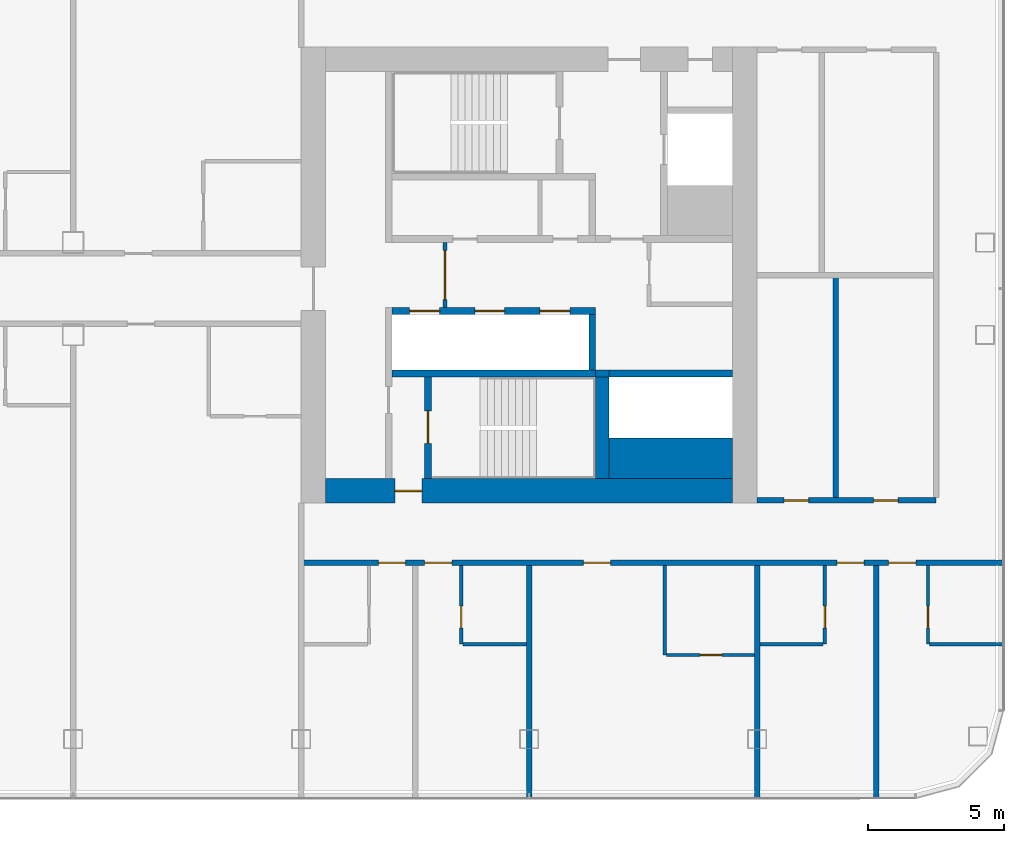
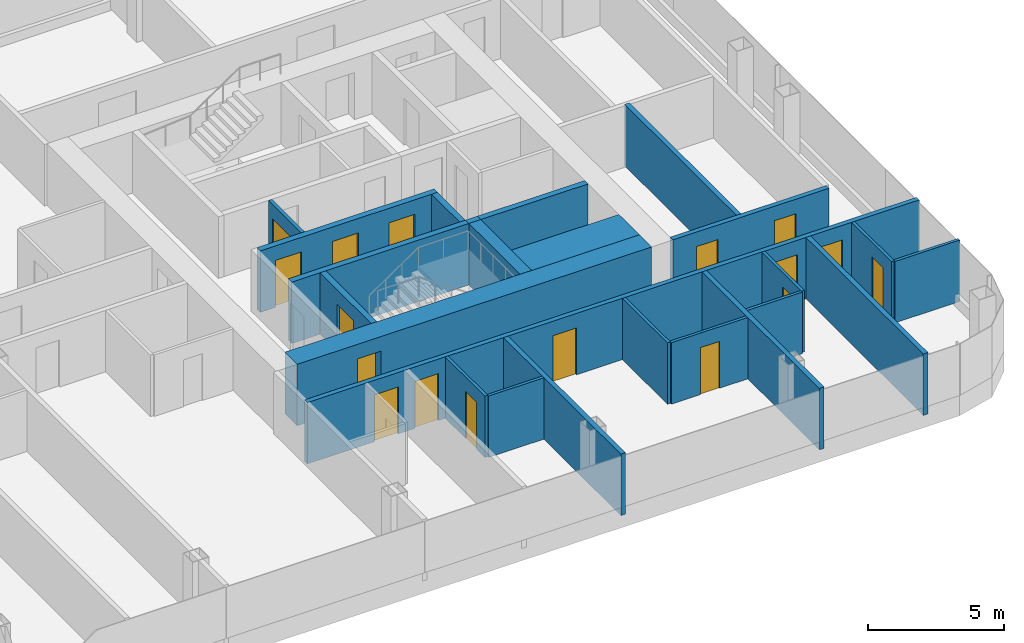
# One storey, part 16 of 26: 24 walls, 17 doors, 17 openings.
"""IFC4 building model written with IfcOpenShell, lengths in metres."""

from ifc_helpers import new_model, si_unit, direction, frame, frame_2d, origin, place, context, subcontext, project, spatial, rectangle, extrude, material, layer, layer_set, type_object, element, fill, save


model = new_model("IFC4")

# Units and contexts
model_context = context("Model", 3, precision=1e-05, world=origin(), true_north=direction((0.0, 1.0)))
body_context = subcontext(model_context, "Body", "Model", "MODEL_VIEW")
ifc_project = project(units=[si_unit("LENGTHUNIT", "METRE"), si_unit("AREAUNIT", "SQUARE_METRE"), si_unit("VOLUMEUNIT", "CUBIC_METRE"), si_unit("PLANEANGLEUNIT", "RADIAN"), si_unit("MASSUNIT", "GRAM", prefix="KILO")], contexts=[model_context])

# Site, building, storey
site_placement = place(None, origin())
site = spatial("IfcSite", under=ifc_project, at=site_placement, CompositionType="ELEMENT")
building_placement = place(site_placement, origin())
building = spatial("IfcBuilding", under=site, at=building_placement, Name="Hakoniwa Tower and Hamabe Station Hall", CompositionType="ELEMENT")
storey_placement = place(building_placement, frame((0.0, 0.0, 140.60009765625)))
storey = spatial("IfcBuildingStorey", under=building, at=storey_placement, Name="L39", CompositionType="ELEMENT", Elevation=140.60009765625)

# Wall, opening, door
ifc_material_1 = material(Name="Gypsum board partition", Category="gypsum")
ifc_layer_1 = layer(ifc_material_1, 0.125)
ifc_layer_set_1 = layer_set([ifc_layer_1], Name="Bathroom Partition 125")
wall_type_1 = type_object("IfcWallType", Name="Bathroom Partition 125", PredefinedType="PARTITIONING", material=ifc_layer_set_1)
wall_1_placement = place(storey_placement, frame((30.262451171875, -14.0, 0.0), z_axis=(0.0, 0.0, 1.0), x_axis=(1.0, 0.0, 0.0)))
wall_1 = element("IfcWall", 1, at=wall_1_placement, inside=storey, type_object=wall_type_1, Name="GW-L39-003", PredefinedType="PARTITIONING", context=body_context, shape_type="SweptSolid", body=[
    extrude(rectangle(XDim=3.237548828125, YDim=0.125, at=frame_2d((1.61865234375, 0.0))), origin(), (0.0, 0.0, 1.0), 2.75),
])
opening_1_placement = place(wall_1_placement, frame((1.237548828125, 0.0, 0.0)))
opening_1 = element("IfcOpeningElement", 2, at=opening_1_placement, cuts=wall_1, Name="Opening GD-G3D0-03", PredefinedType="OPENING", context=body_context, shape_type="SweptSolid", body=[
    extrude(rectangle(XDim=0.800048828125, YDim=2.10009765625, at=frame_2d((0.39990234375, 1.050048828125))), frame((0.0, 0.072509765625, 0.0), z_axis=(0.0, -1.0, 0.0), x_axis=(1.0, 0.0, 0.0)), (0.0, 0.0, 1.0), 0.14501953125),
])
ifc_material_2 = material(Name="Timber door leaf", Category="wood")
door_type_1 = type_object("IfcDoorType", Name="Bathroom Door 800", OperationType="SINGLE_SWING_LEFT", PredefinedType="DOOR", material=ifc_material_2)
door_1_placement = place(opening_1_placement, origin())
door_1 = element("IfcDoor", 3, at=door_1_placement, inside=storey, type_object=door_type_1, Name="Door GD-G3D0-03", OperationType="SINGLE_SWING_RIGHT", OverallHeight=2.10009765625, OverallWidth=0.800048828125, PredefinedType="DOOR", context=body_context, shape_type="SweptSolid", body=[
    extrude(rectangle(XDim=0.800048828125, YDim=2.10009765625, at=frame_2d((0.39990234375, 1.050048828125))), frame((0.0, 0.02490234375, 0.0), z_axis=(0.0, -1.0, 0.0), x_axis=(1.0, 0.0, 0.0)), (0.0, 0.0, 1.0), 0.050048828125),
])
fill(opening_1, door_1)

# Walls
for number, where, z_axis, x_axis, name in (
    (4, (22.762451171875, -13.60009765625, 0.0), (0.0, 0.0, 1.0), (1.0, 0.0, 0.0), "GW-L39-007"),
    (5, (33.699951171875, -13.60009765625, 0.0), (0.0, 0.0, 1.0), (1.0, 0.0, 0.0), "GW-L39-008"),
):
    element("IfcWall", number, at=place(storey_placement, frame(where, z_axis=z_axis, x_axis=x_axis)), inside=storey, type_object=wall_type_1, Name=name, PredefinedType="PARTITIONING", context=body_context, shape_type="SweptSolid", body=[
        extrude(rectangle(XDim=2.337646484375, YDim=0.125, at=frame_2d((1.1689453125, 0.0))), origin(), (0.0, 0.0, 1.0), 2.75),
    ])
wall_2_placement = place(storey_placement, frame((39.96240234375, -13.60009765625, 0.0), z_axis=(0.0, 0.0, 1.0), x_axis=(1.0, 0.0, 0.0)))
element("IfcWall", 6, at=wall_2_placement, inside=storey, type_object=wall_type_1, Name="GW-L39-009", PredefinedType="PARTITIONING", context=body_context, shape_type="SweptSolid", body=[
    extrude(rectangle(XDim=2.737548828125, YDim=0.125, at=frame_2d((1.36865234375, 0.0))), origin(), (0.0, 0.0, 1.0), 2.75),
])

# Wall, opening, door
wall_3_placement = place(storey_placement, frame((22.699951171875, -13.60009765625, 0.0), z_axis=(0.0, 0.0, 1.0), x_axis=(0.0, 1.0, 0.0)))
wall_3 = element("IfcWall", 7, at=wall_3_placement, inside=storey, type_object=wall_type_1, Name="GW-L39-075", PredefinedType="PARTITIONING", context=body_context, shape_type="SweptSolid", body=[
    extrude(rectangle(XDim=2.900146484375, YDim=0.125, at=frame_2d((1.4501953125, 0.0))), origin(), (0.0, 0.0, 1.0), 2.75),
])
opening_2_placement = place(wall_3_placement, frame((0.60009765625, 0.0, 0.0)))
opening_2 = element("IfcOpeningElement", 8, at=opening_2_placement, cuts=wall_3, Name="Opening GD-G3D0-56", PredefinedType="OPENING", context=body_context, shape_type="SweptSolid", body=[
    extrude(rectangle(XDim=0.800048828125, YDim=2.10009765625, at=frame_2d((0.39990234375, 1.050048828125))), frame((0.0, 0.072509765625, 0.0), z_axis=(0.0, -1.0, 0.0), x_axis=(1.0, 0.0, 0.0)), (0.0, 0.0, 1.0), 0.14501953125),
])
door_2_placement = place(opening_2_placement, origin())
door_2 = element("IfcDoor", 9, at=door_2_placement, inside=storey, type_object=door_type_1, Name="Door GD-G3D0-56", OperationType="SINGLE_SWING_LEFT", OverallHeight=2.10009765625, OverallWidth=0.800048828125, PredefinedType="DOOR", context=body_context, shape_type="SweptSolid", body=[
    extrude(rectangle(XDim=0.800048828125, YDim=2.10009765625, at=frame_2d((0.39990234375, 1.050048828125))), frame((0.0, 0.02490234375, 0.0), z_axis=(0.0, -1.0, 0.0), x_axis=(1.0, 0.0, 0.0)), (0.0, 0.0, 1.0), 0.050048828125),
])
fill(opening_2, door_2)

# Wall
wall_4_placement = place(storey_placement, frame((30.199951171875, -14.0, 0.0), z_axis=(0.0, 0.0, 1.0), x_axis=(0.0, 1.0, 0.0)))
element("IfcWall", 10, at=wall_4_placement, inside=storey, type_object=wall_type_1, Name="GW-L39-078", PredefinedType="PARTITIONING", context=body_context, shape_type="SweptSolid", body=[
    extrude(rectangle(XDim=3.300048828125, YDim=0.125, at=frame_2d((1.64990234375, 0.0))), origin(), (0.0, 0.0, 1.0), 2.75),
])

# Wall, opening, door
wall_5_placement = place(storey_placement, frame((36.10009765625, -13.60009765625, 0.0), z_axis=(0.0, 0.0, 1.0), x_axis=(0.0, 1.0, 0.0)))
wall_5 = element("IfcWall", 11, at=wall_5_placement, inside=storey, type_object=wall_type_1, Name="GW-L39-082", PredefinedType="PARTITIONING", context=body_context, shape_type="SweptSolid", body=[
    extrude(rectangle(XDim=2.900146484375, YDim=0.125, at=frame_2d((1.4501953125, 0.0))), origin(), (0.0, 0.0, 1.0), 2.75),
])
opening_3_placement = place(wall_5_placement, frame((0.60009765625, 0.0, 0.0)))
opening_3 = element("IfcOpeningElement", 12, at=opening_3_placement, cuts=wall_5, Name="Opening GD-G3D0-57", PredefinedType="OPENING", context=body_context, shape_type="SweptSolid", body=[
    extrude(rectangle(XDim=0.800048828125, YDim=2.10009765625, at=frame_2d((0.39990234375, 1.050048828125))), frame((0.0, 0.072509765625, 0.0), z_axis=(0.0, -1.0, 0.0), x_axis=(1.0, 0.0, 0.0)), (0.0, 0.0, 1.0), 0.14501953125),
])
door_3_placement = place(opening_3_placement, origin())
door_3 = element("IfcDoor", 13, at=door_3_placement, inside=storey, type_object=door_type_1, Name="Door GD-G3D0-57", OperationType="SINGLE_SWING_RIGHT", OverallHeight=2.10009765625, OverallWidth=0.800048828125, PredefinedType="DOOR", context=body_context, shape_type="SweptSolid", body=[
    extrude(rectangle(XDim=0.800048828125, YDim=2.10009765625, at=frame_2d((0.39990234375, 1.050048828125))), frame((0.0, 0.02490234375, 0.0), z_axis=(0.0, -1.0, 0.0), x_axis=(1.0, 0.0, 0.0)), (0.0, 0.0, 1.0), 0.050048828125),
])
fill(opening_3, door_3)

wall_6_placement = place(storey_placement, frame((39.89990234375, -13.60009765625, 0.0), z_axis=(0.0, 0.0, 1.0), x_axis=(0.0, 1.0, 0.0)))
wall_6 = element("IfcWall", 14, at=wall_6_placement, inside=storey, type_object=wall_type_1, Name="GW-L39-085", PredefinedType="PARTITIONING", context=body_context, shape_type="SweptSolid", body=[
    extrude(rectangle(XDim=2.900146484375, YDim=0.125, at=frame_2d((1.4501953125, 0.0))), origin(), (0.0, 0.0, 1.0), 2.75),
])
opening_4_placement = place(wall_6_placement, frame((0.60009765625, 0.0, 0.0)))
opening_4 = element("IfcOpeningElement", 15, at=opening_4_placement, cuts=wall_6, Name="Opening GD-G3D0-58", PredefinedType="OPENING", context=body_context, shape_type="SweptSolid", body=[
    extrude(rectangle(XDim=0.800048828125, YDim=2.10009765625, at=frame_2d((0.39990234375, 1.050048828125))), frame((0.0, 0.072509765625, 0.0), z_axis=(0.0, -1.0, 0.0), x_axis=(1.0, 0.0, 0.0)), (0.0, 0.0, 1.0), 0.14501953125),
])
door_4_placement = place(opening_4_placement, origin())
door_4 = element("IfcDoor", 16, at=door_4_placement, inside=storey, type_object=door_type_1, Name="Door GD-G3D0-58", OperationType="SINGLE_SWING_LEFT", OverallHeight=2.10009765625, OverallWidth=0.800048828125, PredefinedType="DOOR", context=body_context, shape_type="SweptSolid", body=[
    extrude(rectangle(XDim=0.800048828125, YDim=2.10009765625, at=frame_2d((0.39990234375, 1.050048828125))), frame((0.0, 0.02490234375, 0.0), z_axis=(0.0, -1.0, 0.0), x_axis=(1.0, 0.0, 0.0)), (0.0, 0.0, 1.0), 0.050048828125),
])
fill(opening_4, door_4)

ifc_material_3 = material(Name="Gypsum board partition")
ifc_layer_2 = layer(ifc_material_3, 0.14990234375)
ifc_layer_set_2 = layer_set([ifc_layer_2], Name="CORE PARTITION 150 EI 60")
wall_type_2 = type_object("IfcWallType", Name="CORE PARTITION 150 EI 60", PredefinedType="PARTITIONING", material=ifc_layer_set_2)
wall_7_placement = place(storey_placement, frame((22.10009765625, -1.199951171875, 0.0), z_axis=(0.0, 0.0, 1.0), x_axis=(0.0, 1.0, 0.0)))
wall_7 = element("IfcWall", 17, at=wall_7_placement, inside=storey, type_object=wall_type_2, Name="Core partition PL0 east", PredefinedType="PARTITIONING", context=body_context, shape_type="SweptSolid", body=[
    extrude(rectangle(XDim=2.39990234375, YDim=0.14990234375, at=frame_2d((1.199951171875, 0.0))), origin(), (0.0, 0.0, 1.0), 2.75),
])
opening_5_placement = place(wall_7_placement, frame((0.300048828125, 0.0, 0.0)))
opening_5 = element("IfcOpeningElement", 18, at=opening_5_placement, cuts=wall_7, Name="Opening CD-E-LP0-18", PredefinedType="OPENING", context=body_context, shape_type="SweptSolid", body=[
    extrude(rectangle(XDim=1.800048828125, YDim=2.10009765625, at=frame_2d((0.89990234375, 1.050048828125))), frame((0.0, 0.0849609375, 0.0), z_axis=(0.0, -1.0, 0.0), x_axis=(1.0, 0.0, 0.0)), (0.0, 0.0, 1.0), 0.169921875),
])
ifc_material_4 = material(Name="Steel fire door", Category="steel")
door_type_2 = type_object("IfcDoorType", Name="CORE DOOR 1800 FD60", OperationType="DOUBLE_DOOR_SINGLE_SWING", PredefinedType="DOOR", material=ifc_material_4)
door_5_placement = place(opening_5_placement, origin())
door_5 = element("IfcDoor", 19, at=door_5_placement, inside=storey, type_object=door_type_2, Name="Lift lobby partition door", OperationType="DOUBLE_DOOR_SINGLE_SWING", OverallHeight=2.10009765625, OverallWidth=1.800048828125, PredefinedType="DOOR", context=body_context, shape_type="SweptSolid", body=[
    extrude(rectangle(XDim=1.800048828125, YDim=2.10009765625, at=frame_2d((0.89990234375, 1.050048828125))), frame((0.0, 0.02490234375, 0.0), z_axis=(0.0, -1.0, 0.0), x_axis=(1.0, 0.0, 0.0)), (0.0, 0.0, 1.0), 0.050048828125),
])
fill(opening_5, door_5)

ifc_material_5 = material(Name="Concrete C66", Category="concrete")
ifc_layer_3 = layer(ifc_material_5, 0.89990234375)
ifc_layer_set_3 = layer_set([ifc_layer_3], Name="CORE WALL 900 C66")
wall_type_3 = type_object("IfcWallType", Name="CORE WALL 900 C66", PredefinedType="SHEAR", material=ifc_layer_set_3)
wall_8_placement = place(storey_placement, frame((17.699951171875, -7.949951171875, 0.0), z_axis=(0.0, 0.0, 1.0), x_axis=(1.0, 0.0, 0.0)))
wall_8 = element("IfcWall", 20, at=wall_8_placement, inside=storey, type_object=wall_type_3, Name="Core wall SOUTH east", PredefinedType="SHEAR", context=body_context, shape_type="SweptSolid", body=[
    extrude(rectangle(XDim=15.0, YDim=0.89990234375, at=frame_2d((7.5, 0.0))), origin(), (0.0, 0.0, 1.0), 2.75),
])
opening_6_placement = place(wall_8_placement, frame((2.550048828125, 0.0, 0.0)))
opening_6 = element("IfcOpeningElement", 21, at=opening_6_placement, cuts=wall_8, Name="Opening CD-E-FS3-10", PredefinedType="OPENING", context=body_context, shape_type="SweptSolid", body=[
    extrude(rectangle(XDim=1.0, YDim=2.10009765625, at=frame_2d((0.5, 1.050048828125))), frame((0.0, 0.4599609375, 0.0), z_axis=(0.0, -1.0, 0.0), x_axis=(1.0, 0.0, 0.0)), (0.0, 0.0, 1.0), 0.919921875),
])
ifc_material_6 = material(Name="Steel fire door", Category="steel")
door_type_3 = type_object("IfcDoorType", Name="CORE DOOR 1000 FD60", OperationType="NOTDEFINED", PredefinedType="DOOR", material=ifc_material_6)
door_6_placement = place(opening_6_placement, origin())
door_6 = element("IfcDoor", 22, at=door_6_placement, inside=storey, type_object=door_type_3, Name="Stair vestibule door", OperationType="SINGLE_SWING_RIGHT", OverallHeight=2.10009765625, OverallWidth=1.0, PredefinedType="DOOR", context=body_context, shape_type="SweptSolid", body=[
    extrude(rectangle(XDim=1.0, YDim=2.10009765625, at=frame_2d((0.5, 1.050048828125))), frame((0.0, 0.02490234375, 0.0), z_axis=(0.0, -1.0, 0.0), x_axis=(1.0, 0.0, 0.0)), (0.0, 0.0, 1.0), 0.050048828125),
])
fill(opening_6, door_6)

# Wall
ifc_material_7 = material(Name="Concrete C66", Category="concrete")
ifc_layer_4 = layer(ifc_material_7, 1.5)
ifc_layer_set_4 = layer_set([ifc_layer_4], Name="CORE WEB WALL 1500 C66")
wall_type_4 = type_object("IfcWallType", Name="CORE WEB WALL 1500 C66", PredefinedType="SHEAR", material=ifc_layer_set_4)
wall_9_placement = place(storey_placement, frame((28.14990234375, -6.75, 0.0), z_axis=(0.0, 0.0, 1.0), x_axis=(1.0, 0.0, 0.0)))
element("IfcWall", 23, at=wall_9_placement, inside=storey, type_object=wall_type_4, Name="Core wall SER east", PredefinedType="SHEAR", context=body_context, shape_type="SweptSolid", body=[
    extrude(rectangle(XDim=4.550048828125, YDim=1.5, at=frame_2d((2.27490234375, 0.0))), origin(), (0.0, 0.0, 1.0), 2.75),
])

# Wall, openings, doors
ifc_material_8 = material(Name="Concrete C66", Category="concrete")
ifc_layer_5 = layer(ifc_material_8, 0.25)
ifc_layer_set_5 = layer_set([ifc_layer_5], Name="CORE WEB WALL 250 C66")
wall_type_5 = type_object("IfcWallType", Name="CORE WEB WALL 250 C66", PredefinedType="SHEAR", material=ifc_layer_set_5)
wall_10_placement = place(storey_placement, frame((20.14990234375, -1.324951171875, 0.0), z_axis=(0.0, 0.0, 1.0), x_axis=(1.0, 0.0, 0.0)))
wall_10 = element("IfcWall", 24, at=wall_10_placement, inside=storey, type_object=wall_type_5, Name="Core wall SF east", PredefinedType="SHEAR", context=body_context, shape_type="SweptSolid", body=[
    extrude(rectangle(XDim=7.5, YDim=0.25, at=frame_2d((3.75, 0.0))), origin(), (0.0, 0.0, 1.0), 2.75),
])
opening_7_placement = place(wall_10_placement, frame((0.64990234375, 0.0, 0.0)))
opening_7 = element("IfcOpeningElement", 25, at=opening_7_placement, cuts=wall_10, Name="Opening LD-HR4", PredefinedType="OPENING", context=body_context, shape_type="SweptSolid", body=[
    extrude(rectangle(XDim=1.10009765625, YDim=2.10009765625, at=frame_2d((0.550048828125, 1.050048828125))), frame((0.0, 0.135009765625, 0.0), z_axis=(0.0, -1.0, 0.0), x_axis=(1.0, 0.0, 0.0)), (0.0, 0.0, 1.0), 0.27001953125),
])
opening_8_placement = place(wall_10_placement, frame((3.050048828125, 0.0, 0.0)))
opening_8 = element("IfcOpeningElement", 26, at=opening_8_placement, cuts=wall_10, Name="Opening LD-HR5", PredefinedType="OPENING", context=body_context, shape_type="SweptSolid", body=[
    extrude(rectangle(XDim=1.10009765625, YDim=2.10009765625, at=frame_2d((0.550048828125, 1.050048828125))), frame((0.0, 0.135009765625, 0.0), z_axis=(0.0, -1.0, 0.0), x_axis=(1.0, 0.0, 0.0)), (0.0, 0.0, 1.0), 0.27001953125),
])
opening_9_placement = place(wall_10_placement, frame((5.449951171875, 0.0, 0.0)))
opening_9 = element("IfcOpeningElement", 27, at=opening_9_placement, cuts=wall_10, Name="Opening LD-HR6", PredefinedType="OPENING", context=body_context, shape_type="SweptSolid", body=[
    extrude(rectangle(XDim=1.10009765625, YDim=2.10009765625, at=frame_2d((0.550048828125, 1.050048828125))), frame((0.0, 0.135009765625, 0.0), z_axis=(0.0, -1.0, 0.0), x_axis=(1.0, 0.0, 0.0)), (0.0, 0.0, 1.0), 0.27001953125),
])
ifc_material_9 = material(Name="Stainless steel SUS304", Category="steel")
door_type_4 = type_object("IfcDoorType", Name="LIFT LANDING DOOR 1100 FD60", OperationType="DOUBLE_DOOR_SLIDING", PredefinedType="DOOR", material=ifc_material_9)
door_7_placement = place(opening_7_placement, origin())
door_7 = element("IfcDoor", 28, at=door_7_placement, inside=storey, type_object=door_type_4, Name="Lift landing door HR4 L39", OperationType="DOUBLE_DOOR_SLIDING", OverallHeight=2.10009765625, OverallWidth=1.10009765625, PredefinedType="DOOR", context=body_context, shape_type="SweptSolid", body=[
    extrude(rectangle(XDim=1.10009765625, YDim=2.10009765625, at=frame_2d((0.550048828125, 1.050048828125))), frame((0.0, 0.02490234375, 0.0), z_axis=(0.0, -1.0, 0.0), x_axis=(1.0, 0.0, 0.0)), (0.0, 0.0, 1.0), 0.050048828125),
])
fill(opening_7, door_7)
door_8_placement = place(opening_8_placement, origin())
door_8 = element("IfcDoor", 29, at=door_8_placement, inside=storey, type_object=door_type_4, Name="Lift landing door HR5 L39", OperationType="DOUBLE_DOOR_SLIDING", OverallHeight=2.10009765625, OverallWidth=1.10009765625, PredefinedType="DOOR", context=body_context, shape_type="SweptSolid", body=[
    extrude(rectangle(XDim=1.10009765625, YDim=2.10009765625, at=frame_2d((0.550048828125, 1.050048828125))), frame((0.0, 0.02490234375, 0.0), z_axis=(0.0, -1.0, 0.0), x_axis=(1.0, 0.0, 0.0)), (0.0, 0.0, 1.0), 0.050048828125),
])
fill(opening_8, door_8)
door_9_placement = place(opening_9_placement, origin())
door_9 = element("IfcDoor", 30, at=door_9_placement, inside=storey, type_object=door_type_4, Name="Lift landing door HR6 L39", OperationType="DOUBLE_DOOR_SLIDING", OverallHeight=2.10009765625, OverallWidth=1.10009765625, PredefinedType="DOOR", context=body_context, shape_type="SweptSolid", body=[
    extrude(rectangle(XDim=1.10009765625, YDim=2.10009765625, at=frame_2d((0.550048828125, 1.050048828125))), frame((0.0, 0.02490234375, 0.0), z_axis=(0.0, -1.0, 0.0), x_axis=(1.0, 0.0, 0.0)), (0.0, 0.0, 1.0), 0.050048828125),
])
fill(opening_9, door_9)

# Walls
wall_11_placement = place(storey_placement, frame((27.52490234375, -3.5, 0.0), z_axis=(0.0, 0.0, 1.0), x_axis=(0.0, 1.0, 0.0)))
element("IfcWall", 31, at=wall_11_placement, inside=storey, type_object=wall_type_5, Name="Core wall SE east", PredefinedType="SHEAR", context=body_context, shape_type="SweptSolid", body=[
    extrude(rectangle(XDim=2.050048828125, YDim=0.25, at=frame_2d((1.02490234375, 0.0))), origin(), (0.0, 0.0, 1.0), 2.75),
])
wall_12_placement = place(storey_placement, frame((20.14990234375, -3.625, 0.0), z_axis=(0.0, 0.0, 1.0), x_axis=(1.0, 0.0, 0.0)))
element("IfcWall", 32, at=wall_12_placement, inside=storey, type_object=wall_type_5, Name="Core wall SR east", PredefinedType="SHEAR", context=body_context, shape_type="SweptSolid", body=[
    extrude(rectangle(XDim=7.5, YDim=0.25, at=frame_2d((3.75, 0.0))), origin(), (0.0, 0.0, 1.0), 2.75),
])

# Wall, opening, door
wall_13_placement = place(storey_placement, frame((21.47509765625, -7.5, 0.0), z_axis=(0.0, 0.0, 1.0), x_axis=(0.0, 1.0, 0.0)))
wall_13 = element("IfcWall", 33, at=wall_13_placement, inside=storey, type_object=wall_type_5, Name="Core wall VE east", PredefinedType="SHEAR", context=body_context, shape_type="SweptSolid", body=[
    extrude(rectangle(XDim=3.75, YDim=0.25, at=frame_2d((1.875, 0.0))), origin(), (0.0, 0.0, 1.0), 2.75),
])
opening_10_placement = place(wall_13_placement, frame((1.300048828125, 0.0, 0.0)))
opening_10 = element("IfcOpeningElement", 34, at=opening_10_placement, cuts=wall_13, Name="Opening CD-E-SS-12", PredefinedType="OPENING", context=body_context, shape_type="SweptSolid", body=[
    extrude(rectangle(XDim=1.199951171875, YDim=2.10009765625, at=frame_2d((0.60009765625, 1.050048828125))), frame((0.0, 0.135009765625, 0.0), z_axis=(0.0, -1.0, 0.0), x_axis=(1.0, 0.0, 0.0)), (0.0, 0.0, 1.0), 0.27001953125),
])
ifc_material_10 = material(Name="Steel fire door", Category="steel")
door_type_5 = type_object("IfcDoorType", Name="CORE DOOR 1200 FD60", OperationType="DOUBLE_DOOR_SINGLE_SWING", PredefinedType="DOOR", material=ifc_material_10)
door_10_placement = place(opening_10_placement, origin())
door_10 = element("IfcDoor", 35, at=door_10_placement, inside=storey, type_object=door_type_5, Name="Escape stair door", OperationType="DOUBLE_DOOR_SINGLE_SWING", OverallHeight=2.10009765625, OverallWidth=1.199951171875, PredefinedType="DOOR", context=body_context, shape_type="SweptSolid", body=[
    extrude(rectangle(XDim=1.199951171875, YDim=2.10009765625, at=frame_2d((0.60009765625, 1.050048828125))), frame((0.0, 0.02490234375, 0.0), z_axis=(0.0, -1.0, 0.0), x_axis=(1.0, 0.0, 0.0)), (0.0, 0.0, 1.0), 0.050048828125),
])
fill(opening_10, door_10)

# Walls
wall_14_placement = place(storey_placement, frame((28.14990234375, -3.625, 0.0), z_axis=(0.0, 0.0, 1.0), x_axis=(1.0, 0.0, 0.0)))
element("IfcWall", 36, at=wall_14_placement, inside=storey, type_object=wall_type_5, Name="Core wall SEF east", PredefinedType="SHEAR", context=body_context, shape_type="SweptSolid", body=[
    extrude(rectangle(XDim=4.550048828125, YDim=0.25, at=frame_2d((2.27490234375, 0.0))), origin(), (0.0, 0.0, 1.0), 2.75),
])
wall_15_placement = place(storey_placement, frame((27.64990234375, -3.625, 0.0), z_axis=(0.0, 0.0, 1.0), x_axis=(1.0, 0.0, 0.0)))
element("IfcWall", 37, at=wall_15_placement, inside=storey, type_object=wall_type_5, Name="Core wall SRK east", PredefinedType="SHEAR", context=body_context, shape_type="SweptSolid", body=[
    extrude(rectangle(XDim=0.5, YDim=0.25, at=frame_2d((0.25, 0.0))), origin(), (0.0, 0.0, 1.0), 2.75),
])
ifc_material_11 = material(Name="Concrete C66", Category="concrete")
ifc_layer_6 = layer(ifc_material_11, 0.5)
ifc_layer_set_6 = layer_set([ifc_layer_6], Name="CORE WEB WALL 500 C66")
wall_type_6 = type_object("IfcWallType", Name="CORE WEB WALL 500 C66", PredefinedType="SHEAR", material=ifc_layer_set_6)
wall_16_placement = place(storey_placement, frame((27.89990234375, -7.5, 0.0), z_axis=(0.0, 0.0, 1.0), x_axis=(0.0, 1.0, 0.0)))
element("IfcWall", 38, at=wall_16_placement, inside=storey, type_object=wall_type_6, Name="Core wall SSE east", PredefinedType="SHEAR", context=body_context, shape_type="SweptSolid", body=[
    extrude(rectangle(XDim=3.75, YDim=0.5, at=frame_2d((1.875, 0.0))), origin(), (0.0, 0.0, 1.0), 2.75),
])

# Wall, openings, doors
ifc_material_12 = material(Name="Fire-rated gypsum board partition", Category="gypsum")
ifc_layer_7 = layer(ifc_material_12, 0.199951171875)
ifc_layer_set_7 = layer_set([ifc_layer_7], Name="Corridor Wall 200")
wall_type_7 = type_object("IfcWallType", Name="Corridor Wall 200", PredefinedType="PARTITIONING", material=ifc_layer_set_7)
wall_17_placement = place(storey_placement, frame((16.800048828125, -10.60009765625, 0.0), z_axis=(0.0, 0.0, 1.0), x_axis=(1.0, 0.0, 0.0)))
wall_17 = element("IfcWall", 39, at=wall_17_placement, inside=storey, type_object=wall_type_7, Name="GW-L39-011", PredefinedType="PARTITIONING", context=body_context, shape_type="SweptSolid", body=[
    extrude(rectangle(XDim=25.89990234375, YDim=0.199951171875, at=frame_2d((12.949951171875, 0.0))), origin(), (0.0, 0.0, 1.0), 2.75),
])
opening_11_placement = place(wall_17_placement, frame((2.85009765625, 0.0, 0.0)))
opening_11 = element("IfcOpeningElement", 40, at=opening_11_placement, cuts=wall_17, Name="Opening GD-G3D0-08", PredefinedType="OPENING", context=body_context, shape_type="SweptSolid", body=[
    extrude(rectangle(XDim=1.0, YDim=2.10009765625, at=frame_2d((0.5, 1.050048828125))), frame((0.0, 0.10986328125, 0.0), z_axis=(0.0, -1.0, 0.0), x_axis=(1.0, 0.0, 0.0)), (0.0, 0.0, 1.0), 0.219970703125),
])
opening_12_placement = place(wall_17_placement, frame((4.550048828125, 0.0, 0.0)))
opening_12 = element("IfcOpeningElement", 41, at=opening_12_placement, cuts=wall_17, Name="Opening GD-G3D0-09", PredefinedType="OPENING", context=body_context, shape_type="SweptSolid", body=[
    extrude(rectangle(XDim=1.0, YDim=2.10009765625, at=frame_2d((0.5, 1.050048828125))), frame((0.0, 0.10986328125, 0.0), z_axis=(0.0, -1.0, 0.0), x_axis=(1.0, 0.0, 0.0)), (0.0, 0.0, 1.0), 0.219970703125),
])
opening_13_placement = place(wall_17_placement, frame((10.39990234375, 0.0, 0.0)))
opening_13 = element("IfcOpeningElement", 42, at=opening_13_placement, cuts=wall_17, Name="Opening GD-G3D0-10", PredefinedType="OPENING", context=body_context, shape_type="SweptSolid", body=[
    extrude(rectangle(XDim=1.0, YDim=2.10009765625, at=frame_2d((0.5, 1.050048828125))), frame((0.0, 0.10986328125, 0.0), z_axis=(0.0, -1.0, 0.0), x_axis=(1.0, 0.0, 0.0)), (0.0, 0.0, 1.0), 0.219970703125),
])
opening_14_placement = place(wall_17_placement, frame((19.75, 0.0, 0.0)))
opening_14 = element("IfcOpeningElement", 43, at=opening_14_placement, cuts=wall_17, Name="Opening GD-G3D0-11", PredefinedType="OPENING", context=body_context, shape_type="SweptSolid", body=[
    extrude(rectangle(XDim=1.0, YDim=2.10009765625, at=frame_2d((0.5, 1.050048828125))), frame((0.0, 0.10986328125, 0.0), z_axis=(0.0, -1.0, 0.0), x_axis=(1.0, 0.0, 0.0)), (0.0, 0.0, 1.0), 0.219970703125),
])
opening_15_placement = place(wall_17_placement, frame((21.64990234375, 0.0, 0.0)))
opening_15 = element("IfcOpeningElement", 44, at=opening_15_placement, cuts=wall_17, Name="Opening GD-G3D0-12", PredefinedType="OPENING", context=body_context, shape_type="SweptSolid", body=[
    extrude(rectangle(XDim=1.0, YDim=2.10009765625, at=frame_2d((0.5, 1.050048828125))), frame((0.0, 0.10986328125, 0.0), z_axis=(0.0, -1.0, 0.0), x_axis=(1.0, 0.0, 0.0)), (0.0, 0.0, 1.0), 0.219970703125),
])
ifc_material_13 = material(Name="Timber door leaf", Category="wood")
door_type_6 = type_object("IfcDoorType", Name="Guest Entrance Door 1000", OperationType="SINGLE_SWING_LEFT", PredefinedType="DOOR", material=ifc_material_13)
door_11_placement = place(opening_11_placement, origin())
door_11 = element("IfcDoor", 45, at=door_11_placement, inside=storey, type_object=door_type_6, Name="Door GD-G3D0-08", OperationType="SINGLE_SWING_RIGHT", OverallHeight=2.10009765625, OverallWidth=1.0, PredefinedType="DOOR", context=body_context, shape_type="SweptSolid", body=[
    extrude(rectangle(XDim=1.0, YDim=2.10009765625, at=frame_2d((0.5, 1.050048828125))), frame((0.0, 0.02490234375, 0.0), z_axis=(0.0, -1.0, 0.0), x_axis=(1.0, 0.0, 0.0)), (0.0, 0.0, 1.0), 0.050048828125),
])
fill(opening_11, door_11)
door_12_placement = place(opening_12_placement, origin())
door_12 = element("IfcDoor", 46, at=door_12_placement, inside=storey, type_object=door_type_6, Name="Door GD-G3D0-09", OperationType="SINGLE_SWING_LEFT", OverallHeight=2.10009765625, OverallWidth=1.0, PredefinedType="DOOR", context=body_context, shape_type="SweptSolid", body=[
    extrude(rectangle(XDim=1.0, YDim=2.10009765625, at=frame_2d((0.5, 1.050048828125))), frame((0.0, 0.02490234375, 0.0), z_axis=(0.0, -1.0, 0.0), x_axis=(1.0, 0.0, 0.0)), (0.0, 0.0, 1.0), 0.050048828125),
])
fill(opening_12, door_12)
door_13_placement = place(opening_13_placement, origin())
door_13 = element("IfcDoor", 47, at=door_13_placement, inside=storey, type_object=door_type_6, Name="Door GD-G3D0-10", OperationType="SINGLE_SWING_LEFT", OverallHeight=2.10009765625, OverallWidth=1.0, PredefinedType="DOOR", context=body_context, shape_type="SweptSolid", body=[
    extrude(rectangle(XDim=1.0, YDim=2.10009765625, at=frame_2d((0.5, 1.050048828125))), frame((0.0, 0.02490234375, 0.0), z_axis=(0.0, -1.0, 0.0), x_axis=(1.0, 0.0, 0.0)), (0.0, 0.0, 1.0), 0.050048828125),
])
fill(opening_13, door_13)
door_14_placement = place(opening_14_placement, origin())
door_14 = element("IfcDoor", 48, at=door_14_placement, inside=storey, type_object=door_type_6, Name="Door GD-G3D0-11", OperationType="SINGLE_SWING_RIGHT", OverallHeight=2.10009765625, OverallWidth=1.0, PredefinedType="DOOR", context=body_context, shape_type="SweptSolid", body=[
    extrude(rectangle(XDim=1.0, YDim=2.10009765625, at=frame_2d((0.5, 1.050048828125))), frame((0.0, 0.02490234375, 0.0), z_axis=(0.0, -1.0, 0.0), x_axis=(1.0, 0.0, 0.0)), (0.0, 0.0, 1.0), 0.050048828125),
])
fill(opening_14, door_14)
door_15_placement = place(opening_15_placement, origin())
door_15 = element("IfcDoor", 49, at=door_15_placement, inside=storey, type_object=door_type_6, Name="Door GD-G3D0-12", OperationType="SINGLE_SWING_LEFT", OverallHeight=2.10009765625, OverallWidth=1.0, PredefinedType="DOOR", context=body_context, shape_type="SweptSolid", body=[
    extrude(rectangle(XDim=1.0, YDim=2.10009765625, at=frame_2d((0.5, 1.050048828125))), frame((0.0, 0.02490234375, 0.0), z_axis=(0.0, -1.0, 0.0), x_axis=(1.0, 0.0, 0.0)), (0.0, 0.0, 1.0), 0.050048828125),
])
fill(opening_15, door_15)

wall_18_placement = place(storey_placement, frame((33.60009765625, -8.300048828125, 0.0), z_axis=(0.0, 0.0, 1.0), x_axis=(1.0, 0.0, 0.0)))
wall_18 = element("IfcWall", 50, at=wall_18_placement, inside=storey, type_object=wall_type_7, Name="GW-L39-013", PredefinedType="PARTITIONING", context=body_context, shape_type="SweptSolid", body=[
    extrude(rectangle(XDim=6.599853515625, YDim=0.199951171875, at=frame_2d((3.2998046875, 0.0))), origin(), (0.0, 0.0, 1.0), 2.75),
])
opening_16_placement = place(wall_18_placement, frame((1.0, 0.0, 0.0)))
opening_16 = element("IfcOpeningElement", 51, at=opening_16_placement, cuts=wall_18, Name="Opening GD-G3D0-15", PredefinedType="OPENING", context=body_context, shape_type="SweptSolid", body=[
    extrude(rectangle(XDim=0.89990234375, YDim=2.10009765625, at=frame_2d((0.449951171875, 1.050048828125))), frame((0.0, 0.10986328125, 0.0), z_axis=(0.0, -1.0, 0.0), x_axis=(1.0, 0.0, 0.0)), (0.0, 0.0, 1.0), 0.219970703125),
])
opening_17_placement = place(wall_18_placement, frame((4.300048828125, 0.0, 0.0)))
opening_17 = element("IfcOpeningElement", 52, at=opening_17_placement, cuts=wall_18, Name="Opening GD-G3D0-16", PredefinedType="OPENING", context=body_context, shape_type="SweptSolid", body=[
    extrude(rectangle(XDim=0.89990234375, YDim=2.10009765625, at=frame_2d((0.449951171875, 1.050048828125))), frame((0.0, 0.10986328125, 0.0), z_axis=(0.0, -1.0, 0.0), x_axis=(1.0, 0.0, 0.0)), (0.0, 0.0, 1.0), 0.219970703125),
])
ifc_material_14 = material(Name="Timber door leaf", Category="wood")
door_type_7 = type_object("IfcDoorType", Name="Service Door 900", OperationType="SINGLE_SWING_LEFT", PredefinedType="DOOR", material=ifc_material_14)
door_16_placement = place(opening_16_placement, origin())
door_16 = element("IfcDoor", 53, at=door_16_placement, inside=storey, type_object=door_type_7, Name="Door GD-G3D0-15", OperationType="SINGLE_SWING_LEFT", OverallHeight=2.10009765625, OverallWidth=0.89990234375, PredefinedType="DOOR", context=body_context, shape_type="SweptSolid", body=[
    extrude(rectangle(XDim=0.89990234375, YDim=2.10009765625, at=frame_2d((0.449951171875, 1.050048828125))), frame((0.0, 0.02490234375, 0.0), z_axis=(0.0, -1.0, 0.0), x_axis=(1.0, 0.0, 0.0)), (0.0, 0.0, 1.0), 0.050048828125),
])
fill(opening_16, door_16)
door_17_placement = place(opening_17_placement, origin())
door_17 = element("IfcDoor", 54, at=door_17_placement, inside=storey, type_object=door_type_7, Name="Door GD-G3D0-16", OperationType="SINGLE_SWING_RIGHT", OverallHeight=2.10009765625, OverallWidth=0.89990234375, PredefinedType="DOOR", context=body_context, shape_type="SweptSolid", body=[
    extrude(rectangle(XDim=0.89990234375, YDim=2.10009765625, at=frame_2d((0.449951171875, 1.050048828125))), frame((0.0, 0.02490234375, 0.0), z_axis=(0.0, -1.0, 0.0), x_axis=(1.0, 0.0, 0.0)), (0.0, 0.0, 1.0), 0.050048828125),
])
fill(opening_17, door_17)

# Walls
ifc_material_15 = material(Name="Fire-rated gypsum board partition", Category="gypsum")
ifc_layer_8 = layer(ifc_material_15, 0.199951171875)
ifc_layer_set_8 = layer_set([ifc_layer_8], Name="Party Wall 200")
wall_type_8 = type_object("IfcWallType", Name="Party Wall 200", PredefinedType="PARTITIONING", material=ifc_layer_set_8)
for number, where, z_axis, x_axis, name in (
    (55, (25.199951171875, -19.300048828125, 0.0), (0.0, 0.0, 1.0), (0.0, 1.0, 0.0), "GW-L39-076"),
    (56, (33.60009765625, -19.300048828125, 0.0), (0.0, 0.0, 1.0), (0.0, 1.0, 0.0), "GW-L39-079"),
):
    element("IfcWall", number, at=place(storey_placement, frame(where, z_axis=z_axis, x_axis=x_axis)), inside=storey, type_object=wall_type_8, Name=name, PredefinedType="PARTITIONING", context=body_context, shape_type="SweptSolid", body=[
        extrude(rectangle(XDim=8.60009765625, YDim=0.199951171875, at=frame_2d((4.300048828125, 0.0))), origin(), (0.0, 0.0, 1.0), 2.75),
    ])
wall_19_placement = place(storey_placement, frame((36.5, -8.199951171875, 0.0), z_axis=(0.0, 0.0, 1.0), x_axis=(0.0, 1.0, 0.0)))
element("IfcWall", 57, at=wall_19_placement, inside=storey, type_object=wall_type_8, Name="GW-L39-083", PredefinedType="PARTITIONING", context=body_context, shape_type="SweptSolid", body=[
    extrude(rectangle(XDim=8.199951171875, YDim=0.199951171875, at=frame_2d((4.10009765625, 0.0))), origin(), (0.0, 0.0, 1.0), 2.75),
])
wall_20_placement = place(storey_placement, frame((38.0, -19.300048828125, 0.0), z_axis=(0.0, 0.0, 1.0), x_axis=(0.0, 1.0, 0.0)))
element("IfcWall", 58, at=wall_20_placement, inside=storey, type_object=wall_type_8, Name="GW-L39-084", PredefinedType="PARTITIONING", context=body_context, shape_type="SweptSolid", body=[
    extrude(rectangle(XDim=8.60009765625, YDim=0.199951171875, at=frame_2d((4.300048828125, 0.0))), origin(), (0.0, 0.0, 1.0), 2.75),
])

save(model, "model.ifc")
